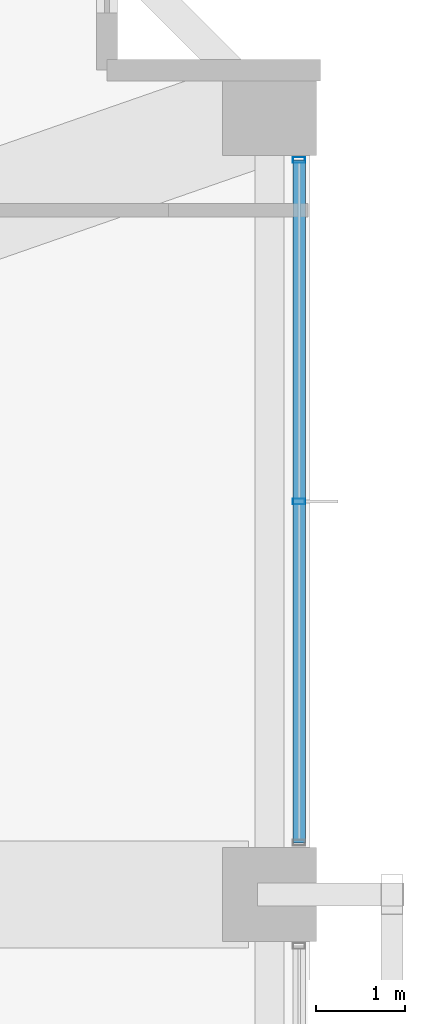
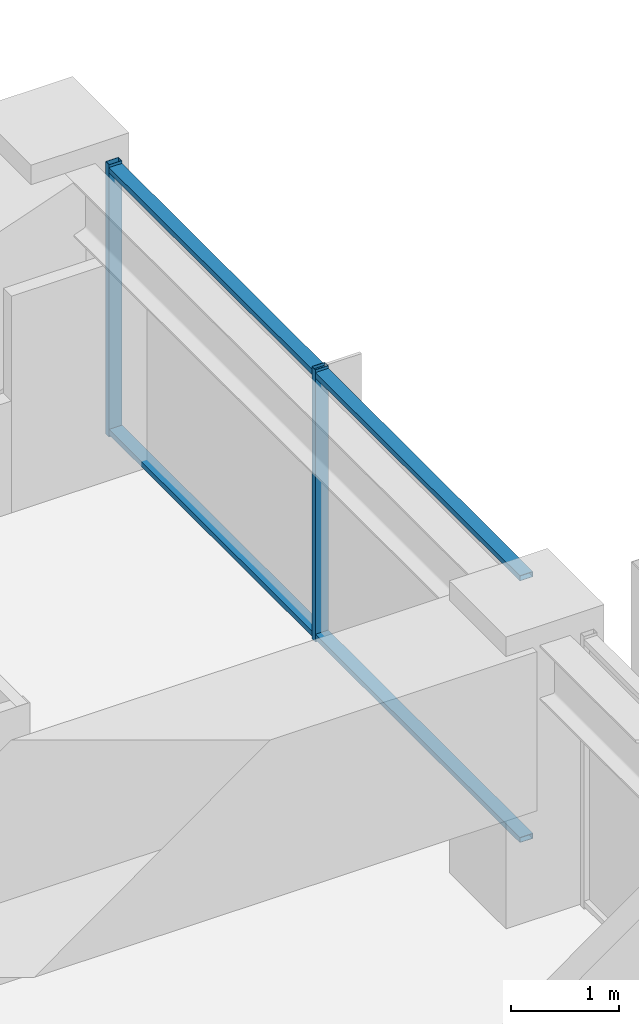
# One storey, part 26 of 39: 4 members, 1 element without a shape of its own.
"""IFC4 building model written with IfcOpenShell, lengths in metres."""

from ifc_helpers import new_model, si_unit, direction, frame, origin, origin_2d, place, context, subcontext, project, spatial, hollow_rectangle, extrude, material, material_profile, profile_set, type_object, element, aggregate, save


model = new_model("IFC4")

# Units and contexts
model_context = context("Model", 3, precision=1e-05, world=origin(), true_north=direction((0.0, 1.0)))
body_context = subcontext(model_context, "Body", "Model", "MODEL_VIEW")
ifc_project = project(units=[si_unit("LENGTHUNIT", "METRE"), si_unit("AREAUNIT", "SQUARE_METRE"), si_unit("VOLUMEUNIT", "CUBIC_METRE"), si_unit("PLANEANGLEUNIT", "RADIAN"), si_unit("MASSUNIT", "GRAM", prefix="KILO")], contexts=[model_context])

# Site, building, storey
site_placement = place(None, origin())
site = spatial("IfcSite", under=ifc_project, at=site_placement, CompositionType="ELEMENT")
building_placement = place(site_placement, origin())
building = spatial("IfcBuilding", under=site, at=building_placement, Name="Kolvaren Belvedere", CompositionType="ELEMENT")
storey_placement = place(building_placement, frame((0.0, 0.0, 85.39990234375)))
storey = spatial("IfcBuildingStorey", under=building, at=storey_placement, Name="L24", CompositionType="ELEMENT", Elevation=85.39990234375)

# Curtain wall, members
ifc_material_1 = material(Name="Anodised pale-metal aluminium AA 6063-T6", Category="aluminium")
curtain_wall_type = type_object("IfcCurtainWallType", Name="CW-Z2-MID", PredefinedType="NOTDEFINED", material=ifc_material_1)
curtain_wall_placement = place(storey_placement, origin())
curtain_wall = element("IfcCurtainWall", 1, at=curtain_wall_placement, inside=storey, type_object=curtain_wall_type, Name="L24 Unitised Curtain Wall FCW-L24-E-B1", PredefinedType="NOTDEFINED")
ifc_material_2 = material(Name="Anodised pale-metal aluminium AA 6063-T6", Category="aluminium")
ifc_material_profile_1 = material_profile(ifc_material_2, hollow_rectangle(XDim=0.06494140625, YDim=0.139892578125, WallThickness=0.00390625, at=origin_2d()), Name="ALU-MUL-140X65")
ifc_profile_set_1 = profile_set([ifc_material_profile_1], Name="Anodised pale-metal aluminium AA 6063-T6")
member_type_1 = type_object("IfcMemberType", Name="CW-MUL-140", PredefinedType="MULLION", material=ifc_profile_set_1)
member_1_placement = place(storey_placement, frame((20.280029296875, 12.822509765625, 0.0), z_axis=(0.0, 0.0, 1.0), x_axis=(0.0, 1.0, 0.0)))
member_1 = element("IfcMember", 2, at=member_1_placement, type_object=member_type_1, Name="FCW-L24-E-B1 Unitised Mullion 1", PredefinedType="MULLION", context=body_context, shape_type="SweptSolid", body=[
    extrude(hollow_rectangle(XDim=0.06494140625, YDim=0.139892578125, WallThickness=0.00390625, at=origin_2d()), origin(), (0.0, 0.0, 1.0), 3.080078125),
])
member_2_placement = place(storey_placement, frame((20.280029296875, 9.0, 0.0), z_axis=(0.0, 0.0, 1.0), x_axis=(0.0, 1.0, 0.0)))
member_2 = element("IfcMember", 3, at=member_2_placement, type_object=member_type_1, Name="FCW-L24-E-B1 Unitised Mullion 2", PredefinedType="MULLION", context=body_context, shape_type="SweptSolid", body=[
    extrude(hollow_rectangle(XDim=0.06494140625, YDim=0.139892578125, WallThickness=0.00390625, at=origin_2d()), origin(), (0.0, 0.0, 1.0), 3.080078125),
])
ifc_material_3 = material(Name="Anodised pale-metal aluminium AA 6063-T6", Category="aluminium")
ifc_material_profile_2 = material_profile(ifc_material_3, hollow_rectangle(XDim=0.06005859375, YDim=0.139892578125, WallThickness=0.00390625, at=origin_2d()), Name="ALU-TRN-140X60")
ifc_profile_set_2 = profile_set([ifc_material_profile_2], Name="Anodised pale-metal aluminium AA 6063-T6")
member_type_2 = type_object("IfcMemberType", Name="CW-TRN-140", PredefinedType="USERDEFINED", material=ifc_profile_set_2)
member_3_placement = place(storey_placement, frame((20.280029296875, 12.822509765625, 0.06005859375), z_axis=(0.0, -1.0, 0.0), x_axis=(0.0, 0.0, 1.0)))
member_3 = element("IfcMember", 4, at=member_3_placement, type_object=member_type_2, Name="FCW-L24-E-B1 Sill Transom", ObjectType="TRANSOM", PredefinedType="USERDEFINED", context=body_context, shape_type="SweptSolid", body=[
    extrude(hollow_rectangle(XDim=0.06005859375, YDim=0.139892578125, WallThickness=0.00390625, at=origin_2d()), origin(), (0.0, 0.0, 1.0), 7.64501953125),
])
member_4_placement = place(storey_placement, frame((20.280029296875, 12.822509765625, 3.02001953125), z_axis=(0.0, -1.0, 0.0), x_axis=(0.0, 0.0, 1.0)))
member_4 = element("IfcMember", 5, at=member_4_placement, type_object=member_type_2, Name="FCW-L24-E-B1 Head Transom", ObjectType="TRANSOM", PredefinedType="USERDEFINED", context=body_context, shape_type="SweptSolid", body=[
    extrude(hollow_rectangle(XDim=0.06005859375, YDim=0.139892578125, WallThickness=0.00390625, at=origin_2d()), origin(), (0.0, 0.0, 1.0), 7.64501953125),
])
aggregate(curtain_wall, [member_1, member_2, member_3, member_4])

save(model, "model.ifc")
